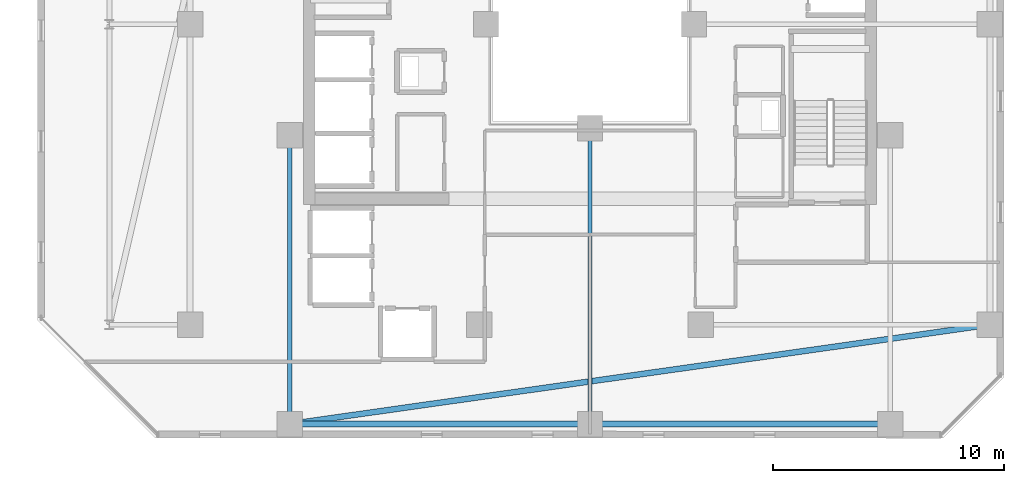
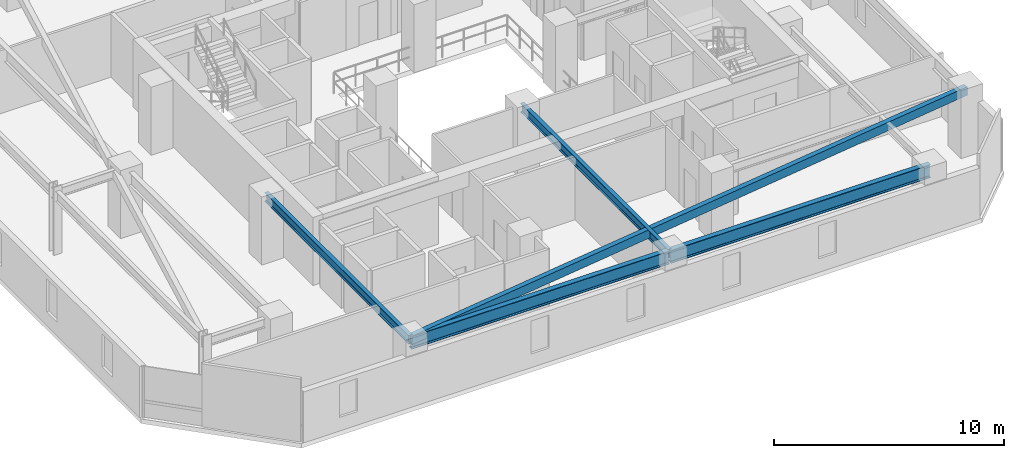
# One storey, part 12 of 33: 5 beams.
"""IFC4 building model written with IfcOpenShell, lengths in metres."""

from ifc_helpers import new_model, si_unit, direction, frame, origin, origin_2d, place, context, subcontext, project, spatial, hollow_rectangle, i_section, extrude, material, material_profile, profile_set, type_object, element, save


model = new_model("IFC4")

# Units and contexts
model_context = context("Model", 3, precision=1e-05, world=origin(), true_north=direction((0.0, 1.0)))
body_context = subcontext(model_context, "Body", "Model", "MODEL_VIEW")
ifc_project = project(units=[si_unit("LENGTHUNIT", "METRE"), si_unit("AREAUNIT", "SQUARE_METRE"), si_unit("VOLUMEUNIT", "CUBIC_METRE"), si_unit("PLANEANGLEUNIT", "RADIAN"), si_unit("MASSUNIT", "GRAM", prefix="KILO")], contexts=[model_context])

# Site, building, storey
site_placement = place(None, origin())
site = spatial("IfcSite", under=ifc_project, at=site_placement, CompositionType="ELEMENT")
building_placement = place(site_placement, origin())
building = spatial("IfcBuilding", under=site, at=building_placement, Name="Thornwick Lancets Civic Towers", CompositionType="ELEMENT")
storey_placement = place(building_placement, frame((0.0, 0.0, 189.300048828125)))
storey = spatial("IfcBuildingStorey", under=building, at=storey_placement, Name="L50", CompositionType="ELEMENT", Elevation=189.300048828125)

# Beams
ifc_material = material(Name="Steel S355JR", Category="steel")
ifc_material_profile_1 = material_profile(ifc_material, i_section(OverallWidth=0.255859375, OverallDepth=0.69287109375, WebThickness=0.014404296875, FlangeThickness=0.023681640625, FilletRadius=0.01513671875, at=origin_2d()), Name="UKB 686x254x170")
ifc_profile_set_1 = profile_set([ifc_material_profile_1], Name="Steel S355JR")
beam_type_1 = type_object("IfcBeamType", Name="BM_GIRD_686_170", PredefinedType="BEAM", material=ifc_profile_set_1)
beam_1_placement = place(storey_placement, frame((101.5, 9.699951171875, 3.013427734375), z_axis=(-1.0, 0.0, 0.0), x_axis=(0.0, -1.0, 0.0)))
element("IfcBeam", 1, at=beam_1_placement, inside=storey, type_object=beam_type_1, Name="BM-SPINE-L50-B-9-10", PredefinedType="BEAM", context=body_context, shape_type="SweptSolid", body=[
    extrude(i_section(OverallWidth=0.255859375, OverallDepth=0.69287109375, WebThickness=0.014404296875, FlangeThickness=0.023681640625, FilletRadius=0.01513671875, at=origin_2d()), origin(), (0.0, 0.0, 1.0), 13.0),
])
beam_2_placement = place(storey_placement, frame((88.419921875, 9.699951171875, 3.013427734375), z_axis=(-1.0, 0.0, 0.0), x_axis=(0.0, -1.0, 0.0)))
element("IfcBeam", 2, at=beam_2_placement, inside=storey, type_object=beam_type_1, Name="BM-SPINE-L50-B-10-11", PredefinedType="BEAM", context=body_context, shape_type="SweptSolid", body=[
    extrude(i_section(OverallWidth=0.255859375, OverallDepth=0.69287109375, WebThickness=0.014404296875, FlangeThickness=0.023681640625, FilletRadius=0.01513671875, at=origin_2d()), origin(), (0.0, 0.0, 1.0), 12.919921875),
])
ifc_material_profile_2 = material_profile(ifc_material, i_section(OverallWidth=0.19287109375, OverallDepth=0.46728515625, WebThickness=0.011474609375, FlangeThickness=0.01953125, FilletRadius=0.01025390625, at=origin_2d()), Name="UKB 457x191x98")
ifc_profile_set_2 = profile_set([ifc_material_profile_2], Name="Steel S355JR")
beam_type_2 = type_object("IfcBeamType", Name="BM_JOIST_457_98", PredefinedType="JOIST", material=ifc_profile_set_2)
beam_3_placement = place(storey_placement, frame((88.5, 22.5, 3.12646484375), z_axis=(0.0, -1.0, 0.0), x_axis=(1.0, 0.0, 0.0)))
element("IfcBeam", 3, at=beam_3_placement, inside=storey, type_object=beam_type_2, Name="BM-RADIN-L50-B11", PredefinedType="JOIST", context=body_context, shape_type="SweptSolid", body=[
    extrude(i_section(OverallWidth=0.19287109375, OverallDepth=0.46728515625, WebThickness=0.011474609375, FlangeThickness=0.01953125, FilletRadius=0.01025390625, at=origin_2d()), origin(), (0.0, 0.0, 1.0), 12.800048828125),
])
beam_4_placement = place(storey_placement, frame((75.5, 22.199951171875, 3.12646484375), z_axis=(0.0, -1.0, 0.0), x_axis=(1.0, 0.0, 0.0)))
element("IfcBeam", 4, at=beam_4_placement, inside=storey, type_object=beam_type_2, Name="BM-RADIN-L50-B12", PredefinedType="JOIST", context=body_context, shape_type="SweptSolid", body=[
    extrude(i_section(OverallWidth=0.19287109375, OverallDepth=0.46728515625, WebThickness=0.011474609375, FlangeThickness=0.01953125, FilletRadius=0.01025390625, at=origin_2d()), origin(), (0.0, 0.0, 1.0), 12.5),
])
ifc_material_profile_3 = material_profile(ifc_material, hollow_rectangle(XDim=0.25, YDim=0.449951171875, WallThickness=0.01611328125, at=origin_2d()), Name="RHS 450x250x16")
ifc_profile_set_3 = profile_set([ifc_material_profile_3], Name="Steel S355JR")
beam_type_3 = type_object("IfcBeamType", Name="BM_RING_RHS450", PredefinedType="BEAM", material=ifc_profile_set_3)
beam_5_placement = place(storey_placement, frame((75.5, 9.699951171875, 3.135009765625), z_axis=(0.990079584012, 0.140507712682, 0.0), x_axis=(-0.140507712682, 0.990079584012, 0.0)))
element("IfcBeam", 5, at=beam_5_placement, inside=storey, type_object=beam_type_3, Name="BM-CHAMF-L50-B-C3", PredefinedType="BEAM", context=body_context, shape_type="SweptSolid", body=[
    extrude(hollow_rectangle(XDim=0.25, YDim=0.449951171875, WallThickness=0.01611328125, at=origin_2d()), origin(), (0.0, 0.0, 1.0), 30.603759765625),
])

save(model, "model.ifc")
